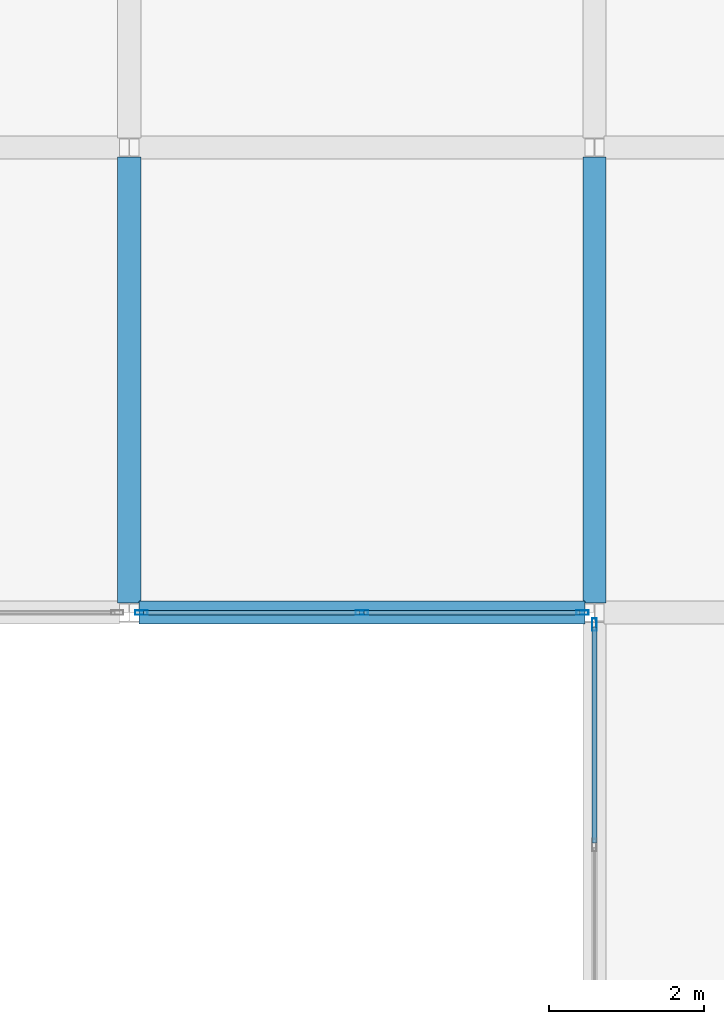
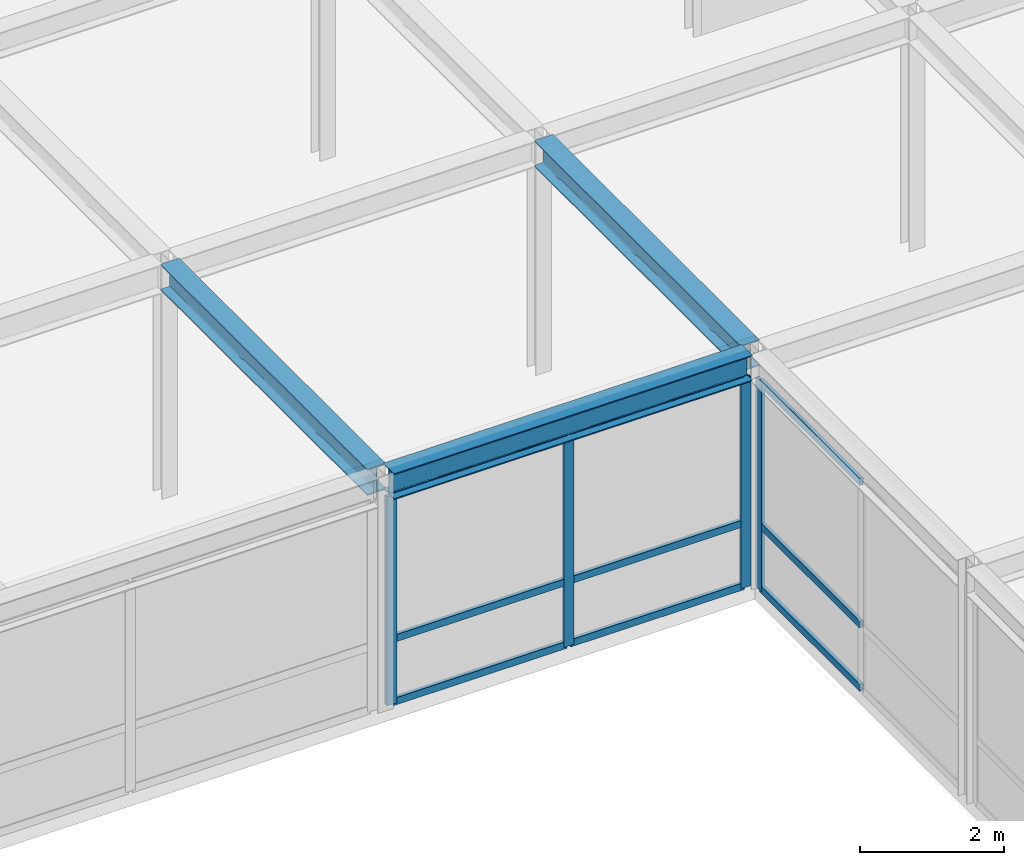
# One storey, part 94 of 111: 13 members, 3 beams, 2 elements without a shape of their own.
"""IFC4 building model written with IfcOpenShell, lengths in metres."""

from ifc_helpers import new_model, si_unit, direction, frame, origin, origin_2d, place, context, subcontext, project, spatial, hollow_rectangle, i_section, extrude, material, layer, layer_set, material_profile, profile_set, type_object, element, aggregate, save


model = new_model("IFC4")

# Units and contexts
model_context = context("Model", 3, precision=1e-05, world=origin(), true_north=direction((0.0, 1.0)))
body_context = subcontext(model_context, "Body", "Model", "MODEL_VIEW")
ifc_project = project(units=[si_unit("LENGTHUNIT", "METRE"), si_unit("AREAUNIT", "SQUARE_METRE"), si_unit("VOLUMEUNIT", "CUBIC_METRE"), si_unit("PLANEANGLEUNIT", "RADIAN"), si_unit("MASSUNIT", "GRAM", prefix="KILO")], contexts=[model_context])

# Site, building, storey
site_placement = place(None, origin())
site = spatial("IfcSite", under=ifc_project, at=site_placement, CompositionType="ELEMENT")
building_placement = place(site_placement, origin())
building = spatial("IfcBuilding", under=site, at=building_placement, Name="Zlatovratsky Civic Hall", CompositionType="ELEMENT")
storey_placement = place(building_placement, frame((0.0, 0.0, 16.5)))
storey = spatial("IfcBuildingStorey", under=building, at=storey_placement, Name="L04", CompositionType="ELEMENT", Elevation=16.5)

# Beams
ifc_material_1 = material(Name="Steel S355", Category="steel")
ifc_material_profile_1 = material_profile(ifc_material_1, i_section(OverallWidth=0.300048828125, OverallDepth=0.43994140625, WebThickness=0.010986328125, FlangeThickness=0.01806640625, FilletRadius=0.02197265625, at=origin_2d()), Name="45Sh1")
ifc_profile_set_1 = profile_set([ifc_material_profile_1], Name="Steel S355")
beam_type = type_object("IfcBeamType", Name="Beam_TowerLow_45Sh1", PredefinedType="BEAM", material=ifc_profile_set_1)
for number, where, z_axis, x_axis, name in (
    (1, (144.125, 66.0, 3.780029296875), (1.0, 0.0, 0.0), (0.0, 1.0, 0.0), "BM-3343"),
    (2, (144.0, 66.125, 3.780029296875), (0.0, 1.0, 0.0), (-1.0, 0.0, 0.0), "BM-3770"),
    (3, (150.0, 66.125, 3.780029296875), (0.0, 1.0, 0.0), (-1.0, 0.0, 0.0), "BM-3787"),
):
    element("IfcBeam", number, at=place(storey_placement, frame(where, z_axis=z_axis, x_axis=x_axis)), inside=storey, type_object=beam_type, Name=name, PredefinedType="BEAM", context=body_context, shape_type="SweptSolid", body=[
        extrude(i_section(OverallWidth=0.300048828125, OverallDepth=0.43994140625, WebThickness=0.010986328125, FlangeThickness=0.01806640625, FilletRadius=0.02197265625, at=origin_2d()), origin(), (0.0, 0.0, 1.0), 5.75),
    ])

# Curtain wall, members
ifc_material_2 = material(Name="Anodised bronze aluminium", Category="aluminium")
ifc_layer = layer(ifc_material_2, 0.159912109375)
ifc_layer_set = layer_set([ifc_layer], Name="Anodised bronze aluminium")
curtain_wall_type = type_object("IfcCurtainWallType", Name="CurtainWall_Bronze_5750x3550_18", PredefinedType="NOTDEFINED", material=ifc_layer_set)
curtain_wall_1_placement = place(storey_placement, origin())
curtain_wall_1 = element("IfcCurtainWall", 4, at=curtain_wall_1_placement, inside=storey, type_object=curtain_wall_type, Name="CW-116", PredefinedType="NOTDEFINED")
ifc_material_profile_2 = material_profile(ifc_material_2, hollow_rectangle(XDim=0.06005859375, YDim=0.159912109375, WallThickness=0.00390625, at=origin_2d()), Name="ALU 60x160x4")
ifc_profile_set_2 = profile_set([ifc_material_profile_2], Name="Anodised bronze aluminium")
member_type_1 = type_object("IfcMemberType", Name="CW_Mullion_60x160", PredefinedType="MULLION", material=ifc_profile_set_2)
member_1_placement = place(storey_placement, frame((144.155029296875, 66.0, 0.0), z_axis=(0.0, 0.0, 1.0), x_axis=(0.0, 1.0, 0.0)))
member_1 = element("IfcMember", 5, at=member_1_placement, type_object=member_type_1, Name="CW-18 mullion 1", PredefinedType="MULLION", context=body_context, shape_type="SweptSolid", body=[
    extrude(hollow_rectangle(XDim=0.06005859375, YDim=0.159912109375, WallThickness=0.00390625, at=origin_2d()), origin(), (0.0, 0.0, 1.0), 3.550048828125),
])
member_2_placement = place(storey_placement, frame((147.0, 66.0, 0.0), z_axis=(0.0, 0.0, 1.0), x_axis=(0.0, 1.0, 0.0)))
member_2 = element("IfcMember", 6, at=member_2_placement, type_object=member_type_1, Name="CW-18 mullion 2", PredefinedType="MULLION", context=body_context, shape_type="SweptSolid", body=[
    extrude(hollow_rectangle(XDim=0.06005859375, YDim=0.159912109375, WallThickness=0.00390625, at=origin_2d()), origin(), (0.0, 0.0, 1.0), 3.550048828125),
])
member_3_placement = place(storey_placement, frame((149.844970703125, 66.0, 0.0), z_axis=(0.0, 0.0, 1.0), x_axis=(0.0, 1.0, 0.0)))
member_3 = element("IfcMember", 7, at=member_3_placement, type_object=member_type_1, Name="CW-18 mullion 3", PredefinedType="MULLION", context=body_context, shape_type="SweptSolid", body=[
    extrude(hollow_rectangle(XDim=0.06005859375, YDim=0.159912109375, WallThickness=0.00390625, at=origin_2d()), origin(), (0.0, 0.0, 1.0), 3.550048828125),
])

# Curtain wall, member
curtain_wall_2_placement = place(storey_placement, origin())
curtain_wall_2 = element("IfcCurtainWall", 8, at=curtain_wall_2_placement, inside=storey, type_object=curtain_wall_type, Name="CW-128", PredefinedType="NOTDEFINED")
member_4_placement = place(storey_placement, frame((150.0, 65.844970703125, 0.0), z_axis=(0.0, 0.0, 1.0), x_axis=(-1.0, 0.0, 0.0)))
member_4 = element("IfcMember", 9, at=member_4_placement, type_object=member_type_1, Name="CW-18 mullion 3", PredefinedType="MULLION", context=body_context, shape_type="SweptSolid", body=[
    extrude(hollow_rectangle(XDim=0.06005859375, YDim=0.159912109375, WallThickness=0.00390625, at=origin_2d()), origin(), (0.0, 0.0, 1.0), 3.550048828125),
])

# Member
ifc_material_profile_3 = material_profile(ifc_material_2, hollow_rectangle(XDim=0.06005859375, YDim=0.1201171875, WallThickness=0.00390625, at=origin_2d()), Name="ALU 60x120x4")
ifc_profile_set_3 = profile_set([ifc_material_profile_3], Name="Anodised bronze aluminium")
member_type_2 = type_object("IfcMemberType", Name="CW_Transom_60x120", PredefinedType="USERDEFINED", material=ifc_profile_set_3)
member_5_placement = place(storey_placement, frame((144.18505859375, 66.0, 0.030029296875), z_axis=(1.0, 0.0, 0.0), x_axis=(0.0, 1.0, 0.0)))
member_5 = element("IfcMember", 10, at=member_5_placement, type_object=member_type_2, Name="CW-18 transom 1.1", ObjectType="TRANSOM", PredefinedType="USERDEFINED", context=body_context, shape_type="SweptSolid", body=[
    extrude(hollow_rectangle(XDim=0.06005859375, YDim=0.1201171875, WallThickness=0.00390625, at=origin_2d()), origin(), (0.0, 0.0, 1.0), 2.784912109375),
])

member_6_placement = place(storey_placement, frame((144.18505859375, 66.0, 1.10009765625), z_axis=(1.0, 0.0, 0.0), x_axis=(0.0, 1.0, 0.0)))
member_6 = element("IfcMember", 11, at=member_6_placement, type_object=member_type_2, Name="CW-18 transom 1.2", ObjectType="TRANSOM", PredefinedType="USERDEFINED", context=body_context, shape_type="SweptSolid", body=[
    extrude(hollow_rectangle(XDim=0.06005859375, YDim=0.1201171875, WallThickness=0.00390625, at=origin_2d()), origin(), (0.0, 0.0, 1.0), 2.784912109375),
])

member_7_placement = place(storey_placement, frame((144.18505859375, 66.0, 3.52001953125), z_axis=(1.0, 0.0, 0.0), x_axis=(0.0, 1.0, 0.0)))
member_7 = element("IfcMember", 12, at=member_7_placement, type_object=member_type_2, Name="CW-18 transom 1.3", ObjectType="TRANSOM", PredefinedType="USERDEFINED", context=body_context, shape_type="SweptSolid", body=[
    extrude(hollow_rectangle(XDim=0.06005859375, YDim=0.1201171875, WallThickness=0.00390625, at=origin_2d()), origin(), (0.0, 0.0, 1.0), 2.784912109375),
])

member_8_placement = place(storey_placement, frame((147.030029296875, 66.0, 0.030029296875), z_axis=(1.0, 0.0, 0.0), x_axis=(0.0, 1.0, 0.0)))
member_8 = element("IfcMember", 13, at=member_8_placement, type_object=member_type_2, Name="CW-18 transom 2.1", ObjectType="TRANSOM", PredefinedType="USERDEFINED", context=body_context, shape_type="SweptSolid", body=[
    extrude(hollow_rectangle(XDim=0.06005859375, YDim=0.1201171875, WallThickness=0.00390625, at=origin_2d()), origin(), (0.0, 0.0, 1.0), 2.784912109375),
])

member_9_placement = place(storey_placement, frame((147.030029296875, 66.0, 1.10009765625), z_axis=(1.0, 0.0, 0.0), x_axis=(0.0, 1.0, 0.0)))
member_9 = element("IfcMember", 14, at=member_9_placement, type_object=member_type_2, Name="CW-18 transom 2.2", ObjectType="TRANSOM", PredefinedType="USERDEFINED", context=body_context, shape_type="SweptSolid", body=[
    extrude(hollow_rectangle(XDim=0.06005859375, YDim=0.1201171875, WallThickness=0.00390625, at=origin_2d()), origin(), (0.0, 0.0, 1.0), 2.784912109375),
])

member_10_placement = place(storey_placement, frame((147.030029296875, 66.0, 3.52001953125), z_axis=(1.0, 0.0, 0.0), x_axis=(0.0, 1.0, 0.0)))
member_10 = element("IfcMember", 15, at=member_10_placement, type_object=member_type_2, Name="CW-18 transom 2.3", ObjectType="TRANSOM", PredefinedType="USERDEFINED", context=body_context, shape_type="SweptSolid", body=[
    extrude(hollow_rectangle(XDim=0.06005859375, YDim=0.1201171875, WallThickness=0.00390625, at=origin_2d()), origin(), (0.0, 0.0, 1.0), 2.784912109375),
])

aggregate(curtain_wall_1, [member_1, member_2, member_3, member_5, member_6, member_7, member_8, member_9, member_10])

member_11_placement = place(storey_placement, frame((150.0, 63.030029296875, 0.030029296875), z_axis=(0.0, 1.0, 0.0), x_axis=(-1.0, 0.0, 0.0)))
member_11 = element("IfcMember", 16, at=member_11_placement, type_object=member_type_2, Name="CW-18 transom 2.1", ObjectType="TRANSOM", PredefinedType="USERDEFINED", context=body_context, shape_type="SweptSolid", body=[
    extrude(hollow_rectangle(XDim=0.06005859375, YDim=0.1201171875, WallThickness=0.00390625, at=origin_2d()), origin(), (0.0, 0.0, 1.0), 2.784912109375),
])

member_12_placement = place(storey_placement, frame((150.0, 63.030029296875, 1.10009765625), z_axis=(0.0, 1.0, 0.0), x_axis=(-1.0, 0.0, 0.0)))
member_12 = element("IfcMember", 17, at=member_12_placement, type_object=member_type_2, Name="CW-18 transom 2.2", ObjectType="TRANSOM", PredefinedType="USERDEFINED", context=body_context, shape_type="SweptSolid", body=[
    extrude(hollow_rectangle(XDim=0.06005859375, YDim=0.1201171875, WallThickness=0.00390625, at=origin_2d()), origin(), (0.0, 0.0, 1.0), 2.784912109375),
])

member_13_placement = place(storey_placement, frame((150.0, 63.030029296875, 3.52001953125), z_axis=(0.0, 1.0, 0.0), x_axis=(-1.0, 0.0, 0.0)))
member_13 = element("IfcMember", 18, at=member_13_placement, type_object=member_type_2, Name="CW-18 transom 2.3", ObjectType="TRANSOM", PredefinedType="USERDEFINED", context=body_context, shape_type="SweptSolid", body=[
    extrude(hollow_rectangle(XDim=0.06005859375, YDim=0.1201171875, WallThickness=0.00390625, at=origin_2d()), origin(), (0.0, 0.0, 1.0), 2.784912109375),
])

aggregate(curtain_wall_2, [member_4, member_11, member_12, member_13])

save(model, "model.ifc")
